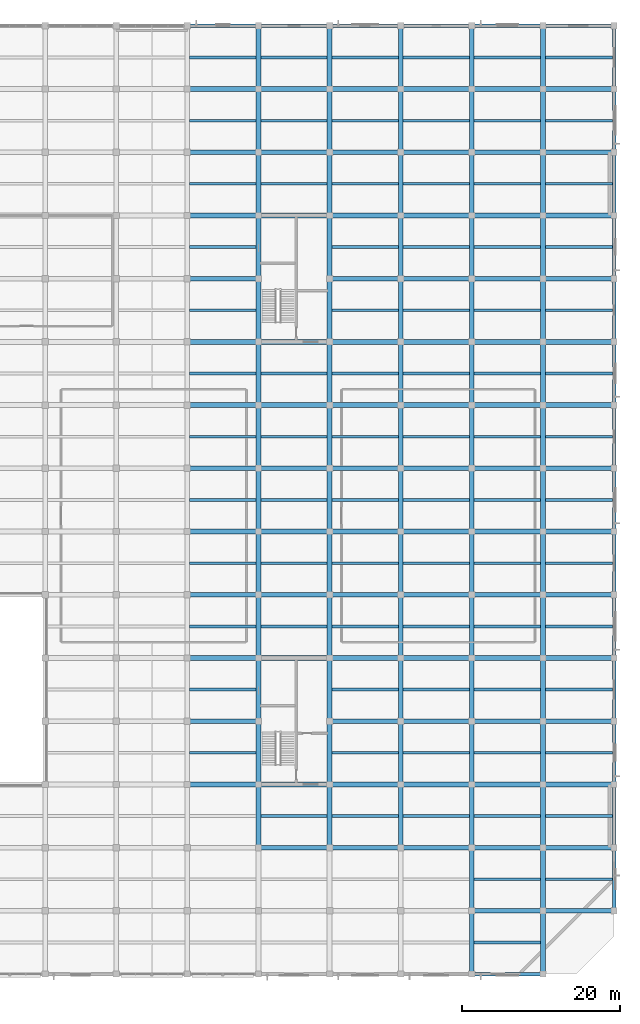
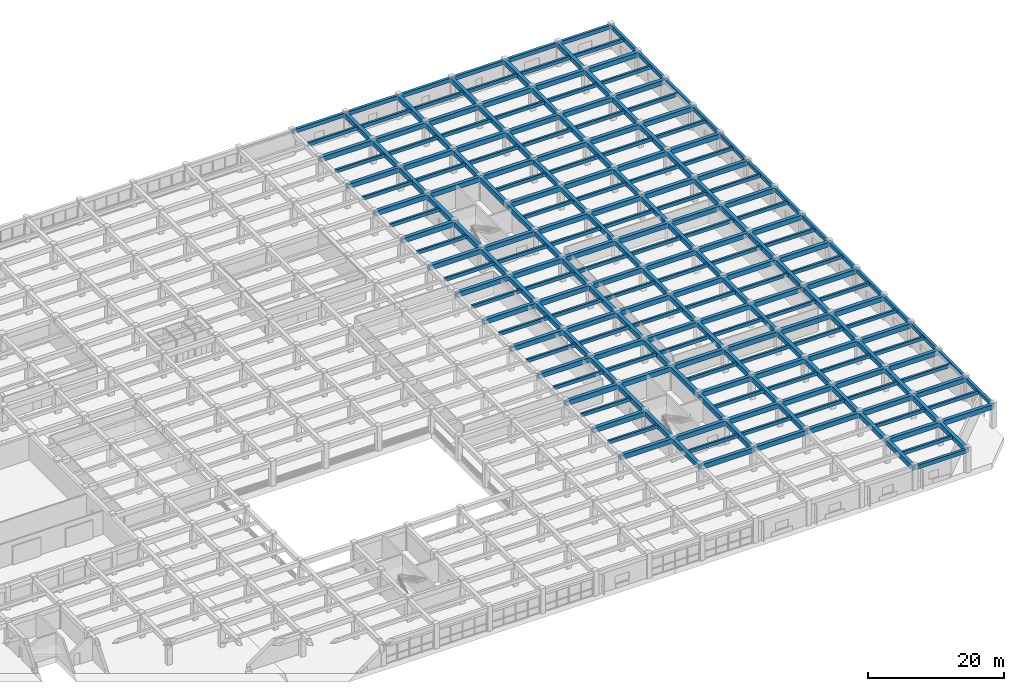
# One storey, part 19 of 50: 243 beams.
"""IFC4 building model written with IfcOpenShell, lengths in metres."""

from ifc_helpers import new_model, si_unit, direction, frame, origin, origin_2d, place, context, subcontext, project, spatial, rectangle, extrude, material, material_profile, profile_set, type_object, element, save


model = new_model("IFC4")

# Units and contexts
model_context = context("Model", 3, precision=1e-05, world=origin(), true_north=direction((0.0, 1.0)))
body_context = subcontext(model_context, "Body", "Model", "MODEL_VIEW")
ifc_project = project(units=[si_unit("LENGTHUNIT", "METRE"), si_unit("AREAUNIT", "SQUARE_METRE"), si_unit("VOLUMEUNIT", "CUBIC_METRE"), si_unit("PLANEANGLEUNIT", "RADIAN"), si_unit("MASSUNIT", "GRAM", prefix="KILO")], contexts=[model_context])

# Site, building, storey
site_placement = place(None, origin())
site = spatial("IfcSite", under=ifc_project, at=site_placement, CompositionType="ELEMENT")
building_placement = place(site_placement, origin())
building = spatial("IfcBuilding", under=site, at=building_placement, Name="Zaverband Oceanarium and Marine Research Institute", CompositionType="ELEMENT")
storey_placement = place(building_placement, frame((0.0, 0.0, 4.5)))
storey = spatial("IfcBuildingStorey", under=building, at=storey_placement, Name="L01", CompositionType="ELEMENT", Elevation=4.5)

# Beams
ifc_material = material(Name="Concrete C40/50", Category="concrete")
ifc_material_profile_1 = material_profile(ifc_material, rectangle(XDim=0.60009765625, YDim=0.85009765625, at=origin_2d()), Name="RC600x850")
ifc_profile_set_1 = profile_set([ifc_material_profile_1], Name="Concrete C40/50")
beam_type_1 = type_object("IfcBeamType", Name="BM-600x850", PredefinedType="BEAM", material=ifc_profile_set_1)
for number, where, z_axis, x_axis, name in (
    (1, (162.0, 8.0, 3.7548828125), (1.0, 0.0, 0.0), (0.0, 1.0, 0.0), "Primary floor girder BM-600x850"),
    (2, (171.0, 8.0, 3.7548828125), (1.0, 0.0, 0.0), (0.0, 1.0, 0.0), "Primary floor girder BM-600x850"),
    (3, (135.0, 16.0, 3.7548828125), (1.0, 0.0, 0.0), (0.0, 1.0, 0.0), "Primary floor girder BM-600x850"),
    (4, (144.0, 16.0, 3.7548828125), (1.0, 0.0, 0.0), (0.0, 1.0, 0.0), "Primary floor girder BM-600x850"),
    (5, (153.0, 16.0, 3.7548828125), (1.0, 0.0, 0.0), (0.0, 1.0, 0.0), "Primary floor girder BM-600x850"),
    (6, (162.0, 16.0, 3.7548828125), (1.0, 0.0, 0.0), (0.0, 1.0, 0.0), "Primary floor girder BM-600x850"),
    (7, (171.0, 16.0, 3.7548828125), (1.0, 0.0, 0.0), (0.0, 1.0, 0.0), "Primary floor girder BM-600x850"),
    (8, (126.0, 24.0, 3.7548828125), (1.0, 0.0, 0.0), (0.0, 1.0, 0.0), "Primary floor girder BM-600x850"),
    (9, (135.0, 24.0, 3.7548828125), (1.0, 0.0, 0.0), (0.0, 1.0, 0.0), "Primary floor girder BM-600x850"),
    (10, (144.0, 24.0, 3.7548828125), (1.0, 0.0, 0.0), (0.0, 1.0, 0.0), "Primary floor girder BM-600x850"),
    (11, (153.0, 24.0, 3.7548828125), (1.0, 0.0, 0.0), (0.0, 1.0, 0.0), "Primary floor girder BM-600x850"),
    (12, (162.0, 24.0, 3.7548828125), (1.0, 0.0, 0.0), (0.0, 1.0, 0.0), "Primary floor girder BM-600x850"),
    (13, (171.0, 24.0, 3.7548828125), (1.0, 0.0, 0.0), (0.0, 1.0, 0.0), "Primary floor girder BM-600x850"),
    (14, (126.0, 32.0, 3.7548828125), (1.0, 0.0, 0.0), (0.0, 1.0, 0.0), "Primary floor girder BM-600x850"),
    (15, (144.0, 32.0, 3.7548828125), (1.0, 0.0, 0.0), (0.0, 1.0, 0.0), "Primary floor girder BM-600x850"),
    (16, (153.0, 32.0, 3.7548828125), (1.0, 0.0, 0.0), (0.0, 1.0, 0.0), "Primary floor girder BM-600x850"),
    (17, (162.0, 32.0, 3.7548828125), (1.0, 0.0, 0.0), (0.0, 1.0, 0.0), "Primary floor girder BM-600x850"),
    (18, (171.0, 32.0, 3.7548828125), (1.0, 0.0, 0.0), (0.0, 1.0, 0.0), "Primary floor girder BM-600x850"),
    (19, (126.0, 40.0, 3.7548828125), (1.0, 0.0, 0.0), (0.0, 1.0, 0.0), "Primary floor girder BM-600x850"),
    (20, (135.0, 40.0, 3.7548828125), (1.0, 0.0, 0.0), (0.0, 1.0, 0.0), "Primary floor girder BM-600x850"),
    (21, (144.0, 40.0, 3.7548828125), (1.0, 0.0, 0.0), (0.0, 1.0, 0.0), "Primary floor girder BM-600x850"),
    (22, (153.0, 40.0, 3.7548828125), (1.0, 0.0, 0.0), (0.0, 1.0, 0.0), "Primary floor girder BM-600x850"),
    (23, (162.0, 40.0, 3.7548828125), (1.0, 0.0, 0.0), (0.0, 1.0, 0.0), "Primary floor girder BM-600x850"),
    (24, (171.0, 40.0, 3.7548828125), (1.0, 0.0, 0.0), (0.0, 1.0, 0.0), "Primary floor girder BM-600x850"),
    (25, (126.0, 48.0, 3.7548828125), (1.0, 0.0, 0.0), (0.0, 1.0, 0.0), "Primary floor girder BM-600x850"),
    (26, (135.0, 48.0, 3.7548828125), (1.0, 0.0, 0.0), (0.0, 1.0, 0.0), "Primary floor girder BM-600x850"),
    (27, (144.0, 48.0, 3.7548828125), (1.0, 0.0, 0.0), (0.0, 1.0, 0.0), "Primary floor girder BM-600x850"),
    (28, (153.0, 48.0, 3.7548828125), (1.0, 0.0, 0.0), (0.0, 1.0, 0.0), "Primary floor girder BM-600x850"),
    (29, (162.0, 48.0, 3.7548828125), (1.0, 0.0, 0.0), (0.0, 1.0, 0.0), "Primary floor girder BM-600x850"),
    (30, (171.0, 48.0, 3.7548828125), (1.0, 0.0, 0.0), (0.0, 1.0, 0.0), "Primary floor girder BM-600x850"),
    (31, (126.0, 56.0, 3.7548828125), (1.0, 0.0, 0.0), (0.0, 1.0, 0.0), "Primary floor girder BM-600x850"),
    (32, (135.0, 56.0, 3.7548828125), (1.0, 0.0, 0.0), (0.0, 1.0, 0.0), "Primary floor girder BM-600x850"),
    (33, (144.0, 56.0, 3.7548828125), (1.0, 0.0, 0.0), (0.0, 1.0, 0.0), "Primary floor girder BM-600x850"),
    (34, (153.0, 56.0, 3.7548828125), (1.0, 0.0, 0.0), (0.0, 1.0, 0.0), "Primary floor girder BM-600x850"),
    (35, (162.0, 56.0, 3.7548828125), (1.0, 0.0, 0.0), (0.0, 1.0, 0.0), "Primary floor girder BM-600x850"),
    (36, (171.0, 56.0, 3.7548828125), (1.0, 0.0, 0.0), (0.0, 1.0, 0.0), "Primary floor girder BM-600x850"),
    (37, (126.0, 64.0, 3.7548828125), (1.0, 0.0, 0.0), (0.0, 1.0, 0.0), "Primary floor girder BM-600x850"),
    (38, (135.0, 64.0, 3.7548828125), (1.0, 0.0, 0.0), (0.0, 1.0, 0.0), "Primary floor girder BM-600x850"),
    (39, (144.0, 64.0, 3.7548828125), (1.0, 0.0, 0.0), (0.0, 1.0, 0.0), "Primary floor girder BM-600x850"),
    (40, (153.0, 64.0, 3.7548828125), (1.0, 0.0, 0.0), (0.0, 1.0, 0.0), "Primary floor girder BM-600x850"),
    (41, (162.0, 64.0, 3.7548828125), (1.0, 0.0, 0.0), (0.0, 1.0, 0.0), "Primary floor girder BM-600x850"),
    (42, (171.0, 64.0, 3.7548828125), (1.0, 0.0, 0.0), (0.0, 1.0, 0.0), "Primary floor girder BM-600x850"),
    (43, (126.0, 72.0, 3.7548828125), (1.0, 0.0, 0.0), (0.0, 1.0, 0.0), "Primary floor girder BM-600x850"),
    (44, (135.0, 72.0, 3.7548828125), (1.0, 0.0, 0.0), (0.0, 1.0, 0.0), "Primary floor girder BM-600x850"),
    (45, (144.0, 72.0, 3.7548828125), (1.0, 0.0, 0.0), (0.0, 1.0, 0.0), "Primary floor girder BM-600x850"),
    (46, (153.0, 72.0, 3.7548828125), (1.0, 0.0, 0.0), (0.0, 1.0, 0.0), "Primary floor girder BM-600x850"),
    (47, (162.0, 72.0, 3.7548828125), (1.0, 0.0, 0.0), (0.0, 1.0, 0.0), "Primary floor girder BM-600x850"),
    (48, (171.0, 72.0, 3.7548828125), (1.0, 0.0, 0.0), (0.0, 1.0, 0.0), "Primary floor girder BM-600x850"),
    (49, (126.0, 80.0, 3.7548828125), (1.0, 0.0, 0.0), (0.0, 1.0, 0.0), "Primary floor girder BM-600x850"),
    (50, (135.0, 80.0, 3.7548828125), (1.0, 0.0, 0.0), (0.0, 1.0, 0.0), "Primary floor girder BM-600x850"),
    (51, (144.0, 80.0, 3.7548828125), (1.0, 0.0, 0.0), (0.0, 1.0, 0.0), "Primary floor girder BM-600x850"),
    (52, (153.0, 80.0, 3.7548828125), (1.0, 0.0, 0.0), (0.0, 1.0, 0.0), "Primary floor girder BM-600x850"),
    (53, (162.0, 80.0, 3.7548828125), (1.0, 0.0, 0.0), (0.0, 1.0, 0.0), "Primary floor girder BM-600x850"),
    (54, (171.0, 80.0, 3.7548828125), (1.0, 0.0, 0.0), (0.0, 1.0, 0.0), "Primary floor girder BM-600x850"),
    (55, (126.0, 88.0, 3.7548828125), (1.0, 0.0, 0.0), (0.0, 1.0, 0.0), "Primary floor girder BM-600x850"),
    (56, (144.0, 88.0, 3.7548828125), (1.0, 0.0, 0.0), (0.0, 1.0, 0.0), "Primary floor girder BM-600x850"),
    (57, (153.0, 88.0, 3.7548828125), (1.0, 0.0, 0.0), (0.0, 1.0, 0.0), "Primary floor girder BM-600x850"),
    (58, (162.0, 88.0, 3.7548828125), (1.0, 0.0, 0.0), (0.0, 1.0, 0.0), "Primary floor girder BM-600x850"),
    (59, (171.0, 88.0, 3.7548828125), (1.0, 0.0, 0.0), (0.0, 1.0, 0.0), "Primary floor girder BM-600x850"),
    (60, (126.0, 96.0, 3.7548828125), (1.0, 0.0, 0.0), (0.0, 1.0, 0.0), "Primary floor girder BM-600x850"),
    (61, (135.0, 96.0, 3.7548828125), (1.0, 0.0, 0.0), (0.0, 1.0, 0.0), "Primary floor girder BM-600x850"),
    (62, (144.0, 96.0, 3.7548828125), (1.0, 0.0, 0.0), (0.0, 1.0, 0.0), "Primary floor girder BM-600x850"),
    (63, (153.0, 96.0, 3.7548828125), (1.0, 0.0, 0.0), (0.0, 1.0, 0.0), "Primary floor girder BM-600x850"),
    (64, (162.0, 96.0, 3.7548828125), (1.0, 0.0, 0.0), (0.0, 1.0, 0.0), "Primary floor girder BM-600x850"),
    (65, (171.0, 96.0, 3.7548828125), (1.0, 0.0, 0.0), (0.0, 1.0, 0.0), "Primary floor girder BM-600x850"),
    (66, (126.0, 104.0, 3.7548828125), (1.0, 0.0, 0.0), (0.0, 1.0, 0.0), "Primary floor girder BM-600x850"),
    (67, (135.0, 104.0, 3.7548828125), (1.0, 0.0, 0.0), (0.0, 1.0, 0.0), "Primary floor girder BM-600x850"),
    (68, (144.0, 104.0, 3.7548828125), (1.0, 0.0, 0.0), (0.0, 1.0, 0.0), "Primary floor girder BM-600x850"),
    (69, (153.0, 104.0, 3.7548828125), (1.0, 0.0, 0.0), (0.0, 1.0, 0.0), "Primary floor girder BM-600x850"),
    (70, (162.0, 104.0, 3.7548828125), (1.0, 0.0, 0.0), (0.0, 1.0, 0.0), "Primary floor girder BM-600x850"),
    (71, (171.0, 104.0, 3.7548828125), (1.0, 0.0, 0.0), (0.0, 1.0, 0.0), "Primary floor girder BM-600x850"),
    (72, (126.0, 112.0, 3.7548828125), (1.0, 0.0, 0.0), (0.0, 1.0, 0.0), "Primary floor girder BM-600x850"),
    (73, (135.0, 112.0, 3.7548828125), (1.0, 0.0, 0.0), (0.0, 1.0, 0.0), "Primary floor girder BM-600x850"),
    (74, (144.0, 112.0, 3.7548828125), (1.0, 0.0, 0.0), (0.0, 1.0, 0.0), "Primary floor girder BM-600x850"),
    (75, (153.0, 112.0, 3.7548828125), (1.0, 0.0, 0.0), (0.0, 1.0, 0.0), "Primary floor girder BM-600x850"),
    (76, (162.0, 112.0, 3.7548828125), (1.0, 0.0, 0.0), (0.0, 1.0, 0.0), "Primary floor girder BM-600x850"),
    (77, (171.0, 112.0, 3.7548828125), (1.0, 0.0, 0.0), (0.0, 1.0, 0.0), "Primary floor girder BM-600x850"),
):
    element("IfcBeam", number, at=place(storey_placement, frame(where, z_axis=z_axis, x_axis=x_axis)), inside=storey, type_object=beam_type_1, Name=name, PredefinedType="BEAM", context=body_context, shape_type="SweptSolid", body=[
        extrude(rectangle(XDim=0.60009765625, YDim=0.85009765625, at=origin_2d()), origin(), (0.0, 0.0, 1.0), 9.0),
    ])
for number, where, z_axis, x_axis, name in (
    (78, (135.0, 16.0, 3.7548828125), (0.0, 1.0, 0.0), (-1.0, 0.0, 0.0), "Primary floor girder BM-600x850"),
    (79, (135.0, 24.0, 3.7548828125), (0.0, 1.0, 0.0), (-1.0, 0.0, 0.0), "Primary floor girder BM-600x850"),
    (80, (135.0, 32.0, 3.7548828125), (0.0, 1.0, 0.0), (-1.0, 0.0, 0.0), "Primary floor girder BM-600x850"),
    (81, (135.0, 40.0, 3.7548828125), (0.0, 1.0, 0.0), (-1.0, 0.0, 0.0), "Primary floor girder BM-600x850"),
    (82, (135.0, 48.0, 3.7548828125), (0.0, 1.0, 0.0), (-1.0, 0.0, 0.0), "Primary floor girder BM-600x850"),
    (83, (135.0, 56.0, 3.7548828125), (0.0, 1.0, 0.0), (-1.0, 0.0, 0.0), "Primary floor girder BM-600x850"),
    (84, (135.0, 64.0, 3.7548828125), (0.0, 1.0, 0.0), (-1.0, 0.0, 0.0), "Primary floor girder BM-600x850"),
    (85, (135.0, 72.0, 3.7548828125), (0.0, 1.0, 0.0), (-1.0, 0.0, 0.0), "Primary floor girder BM-600x850"),
    (86, (135.0, 80.0, 3.7548828125), (0.0, 1.0, 0.0), (-1.0, 0.0, 0.0), "Primary floor girder BM-600x850"),
    (87, (135.0, 88.0, 3.7548828125), (0.0, 1.0, 0.0), (-1.0, 0.0, 0.0), "Primary floor girder BM-600x850"),
    (88, (135.0, 96.0, 3.7548828125), (0.0, 1.0, 0.0), (-1.0, 0.0, 0.0), "Primary floor girder BM-600x850"),
    (89, (135.0, 104.0, 3.7548828125), (0.0, 1.0, 0.0), (-1.0, 0.0, 0.0), "Primary floor girder BM-600x850"),
    (90, (135.0, 112.0, 3.7548828125), (0.0, 1.0, 0.0), (-1.0, 0.0, 0.0), "Primary floor girder BM-600x850"),
    (91, (144.0, 16.0, 3.7548828125), (0.0, 1.0, 0.0), (-1.0, 0.0, 0.0), "Primary floor girder BM-600x850"),
    (92, (144.0, 24.0, 3.7548828125), (0.0, 1.0, 0.0), (-1.0, 0.0, 0.0), "Primary floor girder BM-600x850"),
    (93, (144.0, 32.0, 3.7548828125), (0.0, 1.0, 0.0), (-1.0, 0.0, 0.0), "Primary floor girder BM-600x850"),
    (94, (144.0, 40.0, 3.7548828125), (0.0, 1.0, 0.0), (-1.0, 0.0, 0.0), "Primary floor girder BM-600x850"),
    (95, (144.0, 48.0, 3.7548828125), (0.0, 1.0, 0.0), (-1.0, 0.0, 0.0), "Primary floor girder BM-600x850"),
    (96, (144.0, 56.0, 3.7548828125), (0.0, 1.0, 0.0), (-1.0, 0.0, 0.0), "Primary floor girder BM-600x850"),
    (97, (144.0, 64.0, 3.7548828125), (0.0, 1.0, 0.0), (-1.0, 0.0, 0.0), "Primary floor girder BM-600x850"),
    (98, (144.0, 72.0, 3.7548828125), (0.0, 1.0, 0.0), (-1.0, 0.0, 0.0), "Primary floor girder BM-600x850"),
    (99, (144.0, 80.0, 3.7548828125), (0.0, 1.0, 0.0), (-1.0, 0.0, 0.0), "Primary floor girder BM-600x850"),
    (100, (144.0, 88.0, 3.7548828125), (0.0, 1.0, 0.0), (-1.0, 0.0, 0.0), "Primary floor girder BM-600x850"),
    (101, (144.0, 96.0, 3.7548828125), (0.0, 1.0, 0.0), (-1.0, 0.0, 0.0), "Primary floor girder BM-600x850"),
    (102, (144.0, 104.0, 3.7548828125), (0.0, 1.0, 0.0), (-1.0, 0.0, 0.0), "Primary floor girder BM-600x850"),
    (103, (144.0, 112.0, 3.7548828125), (0.0, 1.0, 0.0), (-1.0, 0.0, 0.0), "Primary floor girder BM-600x850"),
    (104, (153.0, 16.0, 3.7548828125), (0.0, 1.0, 0.0), (-1.0, 0.0, 0.0), "Primary floor girder BM-600x850"),
    (105, (153.0, 24.0, 3.7548828125), (0.0, 1.0, 0.0), (-1.0, 0.0, 0.0), "Primary floor girder BM-600x850"),
    (106, (153.0, 32.0, 3.7548828125), (0.0, 1.0, 0.0), (-1.0, 0.0, 0.0), "Primary floor girder BM-600x850"),
    (107, (153.0, 40.0, 3.7548828125), (0.0, 1.0, 0.0), (-1.0, 0.0, 0.0), "Primary floor girder BM-600x850"),
    (108, (153.0, 48.0, 3.7548828125), (0.0, 1.0, 0.0), (-1.0, 0.0, 0.0), "Primary floor girder BM-600x850"),
    (109, (153.0, 56.0, 3.7548828125), (0.0, 1.0, 0.0), (-1.0, 0.0, 0.0), "Primary floor girder BM-600x850"),
    (110, (153.0, 64.0, 3.7548828125), (0.0, 1.0, 0.0), (-1.0, 0.0, 0.0), "Primary floor girder BM-600x850"),
    (111, (153.0, 72.0, 3.7548828125), (0.0, 1.0, 0.0), (-1.0, 0.0, 0.0), "Primary floor girder BM-600x850"),
    (112, (153.0, 80.0, 3.7548828125), (0.0, 1.0, 0.0), (-1.0, 0.0, 0.0), "Primary floor girder BM-600x850"),
    (113, (153.0, 88.0, 3.7548828125), (0.0, 1.0, 0.0), (-1.0, 0.0, 0.0), "Primary floor girder BM-600x850"),
    (114, (153.0, 96.0, 3.7548828125), (0.0, 1.0, 0.0), (-1.0, 0.0, 0.0), "Primary floor girder BM-600x850"),
    (115, (153.0, 104.0, 3.7548828125), (0.0, 1.0, 0.0), (-1.0, 0.0, 0.0), "Primary floor girder BM-600x850"),
    (116, (153.0, 112.0, 3.7548828125), (0.0, 1.0, 0.0), (-1.0, 0.0, 0.0), "Primary floor girder BM-600x850"),
    (117, (162.0, 0.0, 3.7548828125), (0.0, 1.0, 0.0), (-1.0, 0.0, 0.0), "Primary floor girder BM-600x850"),
    (118, (162.0, 8.0, 3.7548828125), (0.0, 1.0, 0.0), (-1.0, 0.0, 0.0), "Primary floor girder BM-600x850"),
    (119, (162.0, 16.0, 3.7548828125), (0.0, 1.0, 0.0), (-1.0, 0.0, 0.0), "Primary floor girder BM-600x850"),
    (120, (162.0, 24.0, 3.7548828125), (0.0, 1.0, 0.0), (-1.0, 0.0, 0.0), "Primary floor girder BM-600x850"),
    (121, (162.0, 32.0, 3.7548828125), (0.0, 1.0, 0.0), (-1.0, 0.0, 0.0), "Primary floor girder BM-600x850"),
    (122, (162.0, 40.0, 3.7548828125), (0.0, 1.0, 0.0), (-1.0, 0.0, 0.0), "Primary floor girder BM-600x850"),
    (123, (162.0, 48.0, 3.7548828125), (0.0, 1.0, 0.0), (-1.0, 0.0, 0.0), "Primary floor girder BM-600x850"),
    (124, (162.0, 56.0, 3.7548828125), (0.0, 1.0, 0.0), (-1.0, 0.0, 0.0), "Primary floor girder BM-600x850"),
    (125, (162.0, 64.0, 3.7548828125), (0.0, 1.0, 0.0), (-1.0, 0.0, 0.0), "Primary floor girder BM-600x850"),
    (126, (162.0, 72.0, 3.7548828125), (0.0, 1.0, 0.0), (-1.0, 0.0, 0.0), "Primary floor girder BM-600x850"),
    (127, (162.0, 80.0, 3.7548828125), (0.0, 1.0, 0.0), (-1.0, 0.0, 0.0), "Primary floor girder BM-600x850"),
    (128, (162.0, 88.0, 3.7548828125), (0.0, 1.0, 0.0), (-1.0, 0.0, 0.0), "Primary floor girder BM-600x850"),
    (129, (162.0, 96.0, 3.7548828125), (0.0, 1.0, 0.0), (-1.0, 0.0, 0.0), "Primary floor girder BM-600x850"),
    (130, (162.0, 104.0, 3.7548828125), (0.0, 1.0, 0.0), (-1.0, 0.0, 0.0), "Primary floor girder BM-600x850"),
    (131, (162.0, 112.0, 3.7548828125), (0.0, 1.0, 0.0), (-1.0, 0.0, 0.0), "Primary floor girder BM-600x850"),
    (132, (171.0, 0.0, 3.7548828125), (0.0, 1.0, 0.0), (-1.0, 0.0, 0.0), "Primary floor girder BM-600x850"),
    (133, (171.0, 8.0, 3.7548828125), (0.0, 1.0, 0.0), (-1.0, 0.0, 0.0), "Primary floor girder BM-600x850"),
    (134, (171.0, 16.0, 3.7548828125), (0.0, 1.0, 0.0), (-1.0, 0.0, 0.0), "Primary floor girder BM-600x850"),
    (135, (171.0, 24.0, 3.7548828125), (0.0, 1.0, 0.0), (-1.0, 0.0, 0.0), "Primary floor girder BM-600x850"),
    (136, (171.0, 32.0, 3.7548828125), (0.0, 1.0, 0.0), (-1.0, 0.0, 0.0), "Primary floor girder BM-600x850"),
    (137, (171.0, 40.0, 3.7548828125), (0.0, 1.0, 0.0), (-1.0, 0.0, 0.0), "Primary floor girder BM-600x850"),
    (138, (171.0, 48.0, 3.7548828125), (0.0, 1.0, 0.0), (-1.0, 0.0, 0.0), "Primary floor girder BM-600x850"),
    (139, (171.0, 56.0, 3.7548828125), (0.0, 1.0, 0.0), (-1.0, 0.0, 0.0), "Primary floor girder BM-600x850"),
    (140, (171.0, 64.0, 3.7548828125), (0.0, 1.0, 0.0), (-1.0, 0.0, 0.0), "Primary floor girder BM-600x850"),
    (141, (171.0, 72.0, 3.7548828125), (0.0, 1.0, 0.0), (-1.0, 0.0, 0.0), "Primary floor girder BM-600x850"),
    (142, (171.0, 80.0, 3.7548828125), (0.0, 1.0, 0.0), (-1.0, 0.0, 0.0), "Primary floor girder BM-600x850"),
    (143, (171.0, 88.0, 3.7548828125), (0.0, 1.0, 0.0), (-1.0, 0.0, 0.0), "Primary floor girder BM-600x850"),
    (144, (171.0, 96.0, 3.7548828125), (0.0, 1.0, 0.0), (-1.0, 0.0, 0.0), "Primary floor girder BM-600x850"),
    (145, (171.0, 104.0, 3.7548828125), (0.0, 1.0, 0.0), (-1.0, 0.0, 0.0), "Primary floor girder BM-600x850"),
    (146, (171.0, 112.0, 3.7548828125), (0.0, 1.0, 0.0), (-1.0, 0.0, 0.0), "Primary floor girder BM-600x850"),
):
    element("IfcBeam", number, at=place(storey_placement, frame(where, z_axis=z_axis, x_axis=x_axis)), inside=storey, type_object=beam_type_1, Name=name, PredefinedType="BEAM", context=body_context, shape_type="SweptSolid", body=[
        extrude(rectangle(XDim=0.60009765625, YDim=0.85009765625, at=origin_2d()), origin(), (0.0, 0.0, 1.0), 8.0),
    ])
ifc_material_profile_2 = material_profile(ifc_material, rectangle(XDim=0.35009765625, YDim=0.60009765625, at=origin_2d()), Name="RC350x600")
ifc_profile_set_2 = profile_set([ifc_material_profile_2], Name="Concrete C40/50")
beam_type_2 = type_object("IfcBeamType", Name="JST-350x600", PredefinedType="JOIST", material=ifc_profile_set_2)
for number, where, z_axis, x_axis, name in (
    (147, (126.300048828125, 28.0, 3.8798828125), (1.0, 0.0, 0.0), (0.0, 1.0, 0.0), "Secondary floor joist JST-350x600"),
    (148, (126.300048828125, 36.0, 3.8798828125), (1.0, 0.0, 0.0), (0.0, 1.0, 0.0), "Secondary floor joist JST-350x600"),
    (149, (126.300048828125, 44.0, 3.8798828125), (1.0, 0.0, 0.0), (0.0, 1.0, 0.0), "Secondary floor joist JST-350x600"),
    (150, (126.300048828125, 52.0, 3.8798828125), (1.0, 0.0, 0.0), (0.0, 1.0, 0.0), "Secondary floor joist JST-350x600"),
    (151, (126.300048828125, 60.0, 3.8798828125), (1.0, 0.0, 0.0), (0.0, 1.0, 0.0), "Secondary floor joist JST-350x600"),
    (152, (126.300048828125, 68.0, 3.8798828125), (1.0, 0.0, 0.0), (0.0, 1.0, 0.0), "Secondary floor joist JST-350x600"),
    (153, (126.300048828125, 76.0, 3.8798828125), (1.0, 0.0, 0.0), (0.0, 1.0, 0.0), "Secondary floor joist JST-350x600"),
    (154, (126.300048828125, 84.0, 3.8798828125), (1.0, 0.0, 0.0), (0.0, 1.0, 0.0), "Secondary floor joist JST-350x600"),
    (155, (126.300048828125, 92.0, 3.8798828125), (1.0, 0.0, 0.0), (0.0, 1.0, 0.0), "Secondary floor joist JST-350x600"),
    (156, (126.300048828125, 100.0, 3.8798828125), (1.0, 0.0, 0.0), (0.0, 1.0, 0.0), "Secondary floor joist JST-350x600"),
    (157, (126.300048828125, 108.0, 3.8798828125), (1.0, 0.0, 0.0), (0.0, 1.0, 0.0), "Secondary floor joist JST-350x600"),
    (158, (126.300048828125, 116.0, 3.8798828125), (1.0, 0.0, 0.0), (0.0, 1.0, 0.0), "Secondary floor joist JST-350x600"),
    (159, (135.300048828125, 20.0, 3.8798828125), (1.0, 0.0, 0.0), (0.0, 1.0, 0.0), "Secondary floor joist JST-350x600"),
    (160, (135.300048828125, 44.0, 3.8798828125), (1.0, 0.0, 0.0), (0.0, 1.0, 0.0), "Secondary floor joist JST-350x600"),
    (161, (135.300048828125, 52.0, 3.8798828125), (1.0, 0.0, 0.0), (0.0, 1.0, 0.0), "Secondary floor joist JST-350x600"),
    (162, (135.300048828125, 60.0, 3.8798828125), (1.0, 0.0, 0.0), (0.0, 1.0, 0.0), "Secondary floor joist JST-350x600"),
    (163, (135.300048828125, 68.0, 3.8798828125), (1.0, 0.0, 0.0), (0.0, 1.0, 0.0), "Secondary floor joist JST-350x600"),
    (164, (135.300048828125, 76.0, 3.8798828125), (1.0, 0.0, 0.0), (0.0, 1.0, 0.0), "Secondary floor joist JST-350x600"),
    (165, (135.300048828125, 100.0, 3.8798828125), (1.0, 0.0, 0.0), (0.0, 1.0, 0.0), "Secondary floor joist JST-350x600"),
    (166, (135.300048828125, 108.0, 3.8798828125), (1.0, 0.0, 0.0), (0.0, 1.0, 0.0), "Secondary floor joist JST-350x600"),
    (167, (135.300048828125, 116.0, 3.8798828125), (1.0, 0.0, 0.0), (0.0, 1.0, 0.0), "Secondary floor joist JST-350x600"),
    (168, (144.300048828125, 20.0, 3.8798828125), (1.0, 0.0, 0.0), (0.0, 1.0, 0.0), "Secondary floor joist JST-350x600"),
    (169, (144.300048828125, 28.0, 3.8798828125), (1.0, 0.0, 0.0), (0.0, 1.0, 0.0), "Secondary floor joist JST-350x600"),
    (170, (144.300048828125, 36.0, 3.8798828125), (1.0, 0.0, 0.0), (0.0, 1.0, 0.0), "Secondary floor joist JST-350x600"),
    (171, (144.300048828125, 44.0, 3.8798828125), (1.0, 0.0, 0.0), (0.0, 1.0, 0.0), "Secondary floor joist JST-350x600"),
    (172, (144.300048828125, 52.0, 3.8798828125), (1.0, 0.0, 0.0), (0.0, 1.0, 0.0), "Secondary floor joist JST-350x600"),
    (173, (144.300048828125, 60.0, 3.8798828125), (1.0, 0.0, 0.0), (0.0, 1.0, 0.0), "Secondary floor joist JST-350x600"),
    (174, (144.300048828125, 68.0, 3.8798828125), (1.0, 0.0, 0.0), (0.0, 1.0, 0.0), "Secondary floor joist JST-350x600"),
    (175, (144.300048828125, 76.0, 3.8798828125), (1.0, 0.0, 0.0), (0.0, 1.0, 0.0), "Secondary floor joist JST-350x600"),
    (176, (144.300048828125, 84.0, 3.8798828125), (1.0, 0.0, 0.0), (0.0, 1.0, 0.0), "Secondary floor joist JST-350x600"),
    (177, (144.300048828125, 92.0, 3.8798828125), (1.0, 0.0, 0.0), (0.0, 1.0, 0.0), "Secondary floor joist JST-350x600"),
    (178, (144.300048828125, 100.0, 3.8798828125), (1.0, 0.0, 0.0), (0.0, 1.0, 0.0), "Secondary floor joist JST-350x600"),
    (179, (144.300048828125, 108.0, 3.8798828125), (1.0, 0.0, 0.0), (0.0, 1.0, 0.0), "Secondary floor joist JST-350x600"),
    (180, (144.300048828125, 116.0, 3.8798828125), (1.0, 0.0, 0.0), (0.0, 1.0, 0.0), "Secondary floor joist JST-350x600"),
    (181, (153.300048828125, 20.0, 3.8798828125), (1.0, 0.0, 0.0), (0.0, 1.0, 0.0), "Secondary floor joist JST-350x600"),
    (182, (153.300048828125, 28.0, 3.8798828125), (1.0, 0.0, 0.0), (0.0, 1.0, 0.0), "Secondary floor joist JST-350x600"),
    (183, (153.300048828125, 36.0, 3.8798828125), (1.0, 0.0, 0.0), (0.0, 1.0, 0.0), "Secondary floor joist JST-350x600"),
    (184, (153.300048828125, 44.0, 3.8798828125), (1.0, 0.0, 0.0), (0.0, 1.0, 0.0), "Secondary floor joist JST-350x600"),
    (185, (153.300048828125, 52.0, 3.8798828125), (1.0, 0.0, 0.0), (0.0, 1.0, 0.0), "Secondary floor joist JST-350x600"),
    (186, (153.300048828125, 60.0, 3.8798828125), (1.0, 0.0, 0.0), (0.0, 1.0, 0.0), "Secondary floor joist JST-350x600"),
    (187, (153.300048828125, 68.0, 3.8798828125), (1.0, 0.0, 0.0), (0.0, 1.0, 0.0), "Secondary floor joist JST-350x600"),
    (188, (153.300048828125, 76.0, 3.8798828125), (1.0, 0.0, 0.0), (0.0, 1.0, 0.0), "Secondary floor joist JST-350x600"),
    (189, (153.300048828125, 84.0, 3.8798828125), (1.0, 0.0, 0.0), (0.0, 1.0, 0.0), "Secondary floor joist JST-350x600"),
    (190, (153.300048828125, 92.0, 3.8798828125), (1.0, 0.0, 0.0), (0.0, 1.0, 0.0), "Secondary floor joist JST-350x600"),
    (191, (153.300048828125, 100.0, 3.8798828125), (1.0, 0.0, 0.0), (0.0, 1.0, 0.0), "Secondary floor joist JST-350x600"),
    (192, (153.300048828125, 108.0, 3.8798828125), (1.0, 0.0, 0.0), (0.0, 1.0, 0.0), "Secondary floor joist JST-350x600"),
    (193, (153.300048828125, 116.0, 3.8798828125), (1.0, 0.0, 0.0), (0.0, 1.0, 0.0), "Secondary floor joist JST-350x600"),
    (194, (162.300048828125, 4.0, 3.8798828125), (1.0, 0.0, 0.0), (0.0, 1.0, 0.0), "Secondary floor joist JST-350x600"),
    (195, (162.300048828125, 12.0, 3.8798828125), (1.0, 0.0, 0.0), (0.0, 1.0, 0.0), "Secondary floor joist JST-350x600"),
    (196, (162.300048828125, 20.0, 3.8798828125), (1.0, 0.0, 0.0), (0.0, 1.0, 0.0), "Secondary floor joist JST-350x600"),
    (197, (162.300048828125, 28.0, 3.8798828125), (1.0, 0.0, 0.0), (0.0, 1.0, 0.0), "Secondary floor joist JST-350x600"),
    (198, (162.300048828125, 36.0, 3.8798828125), (1.0, 0.0, 0.0), (0.0, 1.0, 0.0), "Secondary floor joist JST-350x600"),
    (199, (162.300048828125, 44.0, 3.8798828125), (1.0, 0.0, 0.0), (0.0, 1.0, 0.0), "Secondary floor joist JST-350x600"),
    (200, (162.300048828125, 52.0, 3.8798828125), (1.0, 0.0, 0.0), (0.0, 1.0, 0.0), "Secondary floor joist JST-350x600"),
    (201, (162.300048828125, 60.0, 3.8798828125), (1.0, 0.0, 0.0), (0.0, 1.0, 0.0), "Secondary floor joist JST-350x600"),
    (202, (162.300048828125, 68.0, 3.8798828125), (1.0, 0.0, 0.0), (0.0, 1.0, 0.0), "Secondary floor joist JST-350x600"),
    (203, (162.300048828125, 76.0, 3.8798828125), (1.0, 0.0, 0.0), (0.0, 1.0, 0.0), "Secondary floor joist JST-350x600"),
    (204, (162.300048828125, 84.0, 3.8798828125), (1.0, 0.0, 0.0), (0.0, 1.0, 0.0), "Secondary floor joist JST-350x600"),
    (205, (162.300048828125, 92.0, 3.8798828125), (1.0, 0.0, 0.0), (0.0, 1.0, 0.0), "Secondary floor joist JST-350x600"),
    (206, (162.300048828125, 100.0, 3.8798828125), (1.0, 0.0, 0.0), (0.0, 1.0, 0.0), "Secondary floor joist JST-350x600"),
    (207, (162.300048828125, 108.0, 3.8798828125), (1.0, 0.0, 0.0), (0.0, 1.0, 0.0), "Secondary floor joist JST-350x600"),
    (208, (162.300048828125, 116.0, 3.8798828125), (1.0, 0.0, 0.0), (0.0, 1.0, 0.0), "Secondary floor joist JST-350x600"),
):
    element("IfcBeam", number, at=place(storey_placement, frame(where, z_axis=z_axis, x_axis=x_axis)), inside=storey, type_object=beam_type_2, Name=name, PredefinedType="JOIST", context=body_context, shape_type="SweptSolid", body=[
        extrude(rectangle(XDim=0.35009765625, YDim=0.60009765625, at=origin_2d()), origin(), (0.0, 0.0, 1.0), 8.39990234375),
    ])
for number, where, z_axis, x_axis, name in (
    (209, (171.300048828125, 12.0, 3.8798828125), (1.0, 0.0, 0.0), (0.0, 1.0, 0.0), "Secondary floor joist JST-350x600"),
    (210, (171.300048828125, 20.0, 3.8798828125), (1.0, 0.0, 0.0), (0.0, 1.0, 0.0), "Secondary floor joist JST-350x600"),
    (211, (171.300048828125, 28.0, 3.8798828125), (1.0, 0.0, 0.0), (0.0, 1.0, 0.0), "Secondary floor joist JST-350x600"),
    (212, (171.300048828125, 36.0, 3.8798828125), (1.0, 0.0, 0.0), (0.0, 1.0, 0.0), "Secondary floor joist JST-350x600"),
    (213, (171.300048828125, 44.0, 3.8798828125), (1.0, 0.0, 0.0), (0.0, 1.0, 0.0), "Secondary floor joist JST-350x600"),
    (214, (171.300048828125, 52.0, 3.8798828125), (1.0, 0.0, 0.0), (0.0, 1.0, 0.0), "Secondary floor joist JST-350x600"),
    (215, (171.300048828125, 60.0, 3.8798828125), (1.0, 0.0, 0.0), (0.0, 1.0, 0.0), "Secondary floor joist JST-350x600"),
    (216, (171.300048828125, 68.0, 3.8798828125), (1.0, 0.0, 0.0), (0.0, 1.0, 0.0), "Secondary floor joist JST-350x600"),
    (217, (171.300048828125, 76.0, 3.8798828125), (1.0, 0.0, 0.0), (0.0, 1.0, 0.0), "Secondary floor joist JST-350x600"),
    (218, (171.300048828125, 84.0, 3.8798828125), (1.0, 0.0, 0.0), (0.0, 1.0, 0.0), "Secondary floor joist JST-350x600"),
    (219, (171.300048828125, 92.0, 3.8798828125), (1.0, 0.0, 0.0), (0.0, 1.0, 0.0), "Secondary floor joist JST-350x600"),
    (220, (171.300048828125, 100.0, 3.8798828125), (1.0, 0.0, 0.0), (0.0, 1.0, 0.0), "Secondary floor joist JST-350x600"),
    (221, (171.300048828125, 108.0, 3.8798828125), (1.0, 0.0, 0.0), (0.0, 1.0, 0.0), "Secondary floor joist JST-350x600"),
    (222, (171.300048828125, 116.0, 3.8798828125), (1.0, 0.0, 0.0), (0.0, 1.0, 0.0), "Secondary floor joist JST-350x600"),
):
    element("IfcBeam", number, at=place(storey_placement, frame(where, z_axis=z_axis, x_axis=x_axis)), inside=storey, type_object=beam_type_2, Name=name, PredefinedType="JOIST", context=body_context, shape_type="SweptSolid", body=[
        extrude(rectangle(XDim=0.35009765625, YDim=0.60009765625, at=origin_2d()), origin(), (0.0, 0.0, 1.0), 8.474853515625),
    ])
ifc_material_profile_3 = material_profile(ifc_material, rectangle(XDim=0.449951171875, YDim=0.699951171875, at=origin_2d()), Name="RC450x700")
ifc_profile_set_3 = profile_set([ifc_material_profile_3], Name="Concrete C40/50")
beam_type_3 = type_object("IfcBeamType", Name="SPN-450x700", PredefinedType="SPANDREL", material=ifc_profile_set_3)
for number, where, z_axis, x_axis, name in (
    (223, (162.0, 0.0, 3.830078125), (1.0, 0.0, 0.0), (0.0, 1.0, 0.0), "Perimeter spandrel beam SPN-450x700"),
    (224, (126.0, 120.0, 3.830078125), (1.0, 0.0, 0.0), (0.0, 1.0, 0.0), "Perimeter spandrel beam SPN-450x700"),
    (225, (135.0, 120.0, 3.830078125), (1.0, 0.0, 0.0), (0.0, 1.0, 0.0), "Perimeter spandrel beam SPN-450x700"),
    (226, (144.0, 120.0, 3.830078125), (1.0, 0.0, 0.0), (0.0, 1.0, 0.0), "Perimeter spandrel beam SPN-450x700"),
    (227, (153.0, 120.0, 3.830078125), (1.0, 0.0, 0.0), (0.0, 1.0, 0.0), "Perimeter spandrel beam SPN-450x700"),
    (228, (162.0, 120.0, 3.830078125), (1.0, 0.0, 0.0), (0.0, 1.0, 0.0), "Perimeter spandrel beam SPN-450x700"),
    (229, (171.0, 120.0, 3.830078125), (1.0, 0.0, 0.0), (0.0, 1.0, 0.0), "Perimeter spandrel beam SPN-450x700"),
):
    element("IfcBeam", number, at=place(storey_placement, frame(where, z_axis=z_axis, x_axis=x_axis)), inside=storey, type_object=beam_type_3, Name=name, PredefinedType="SPANDREL", context=body_context, shape_type="SweptSolid", body=[
        extrude(rectangle(XDim=0.449951171875, YDim=0.699951171875, at=origin_2d()), origin(), (0.0, 0.0, 1.0), 9.0),
    ])
for number, where, z_axis, x_axis, name in (
    (230, (180.0, 8.0, 3.830078125), (0.0, 1.0, 0.0), (-1.0, 0.0, 0.0), "Perimeter spandrel beam SPN-450x700"),
    (231, (180.0, 16.0, 3.830078125), (0.0, 1.0, 0.0), (-1.0, 0.0, 0.0), "Perimeter spandrel beam SPN-450x700"),
    (232, (180.0, 24.0, 3.830078125), (0.0, 1.0, 0.0), (-1.0, 0.0, 0.0), "Perimeter spandrel beam SPN-450x700"),
    (233, (180.0, 32.0, 3.830078125), (0.0, 1.0, 0.0), (-1.0, 0.0, 0.0), "Perimeter spandrel beam SPN-450x700"),
    (234, (180.0, 40.0, 3.830078125), (0.0, 1.0, 0.0), (-1.0, 0.0, 0.0), "Perimeter spandrel beam SPN-450x700"),
    (235, (180.0, 48.0, 3.830078125), (0.0, 1.0, 0.0), (-1.0, 0.0, 0.0), "Perimeter spandrel beam SPN-450x700"),
    (236, (180.0, 56.0, 3.830078125), (0.0, 1.0, 0.0), (-1.0, 0.0, 0.0), "Perimeter spandrel beam SPN-450x700"),
    (237, (180.0, 64.0, 3.830078125), (0.0, 1.0, 0.0), (-1.0, 0.0, 0.0), "Perimeter spandrel beam SPN-450x700"),
    (238, (180.0, 72.0, 3.830078125), (0.0, 1.0, 0.0), (-1.0, 0.0, 0.0), "Perimeter spandrel beam SPN-450x700"),
    (239, (180.0, 80.0, 3.830078125), (0.0, 1.0, 0.0), (-1.0, 0.0, 0.0), "Perimeter spandrel beam SPN-450x700"),
    (240, (180.0, 88.0, 3.830078125), (0.0, 1.0, 0.0), (-1.0, 0.0, 0.0), "Perimeter spandrel beam SPN-450x700"),
    (241, (180.0, 96.0, 3.830078125), (0.0, 1.0, 0.0), (-1.0, 0.0, 0.0), "Perimeter spandrel beam SPN-450x700"),
    (242, (180.0, 104.0, 3.830078125), (0.0, 1.0, 0.0), (-1.0, 0.0, 0.0), "Perimeter spandrel beam SPN-450x700"),
    (243, (180.0, 112.0, 3.830078125), (0.0, 1.0, 0.0), (-1.0, 0.0, 0.0), "Perimeter spandrel beam SPN-450x700"),
):
    element("IfcBeam", number, at=place(storey_placement, frame(where, z_axis=z_axis, x_axis=x_axis)), inside=storey, type_object=beam_type_3, Name=name, PredefinedType="SPANDREL", context=body_context, shape_type="SweptSolid", body=[
        extrude(rectangle(XDim=0.449951171875, YDim=0.699951171875, at=origin_2d()), origin(), (0.0, 0.0, 1.0), 8.0),
    ])

save(model, "model.ifc")
